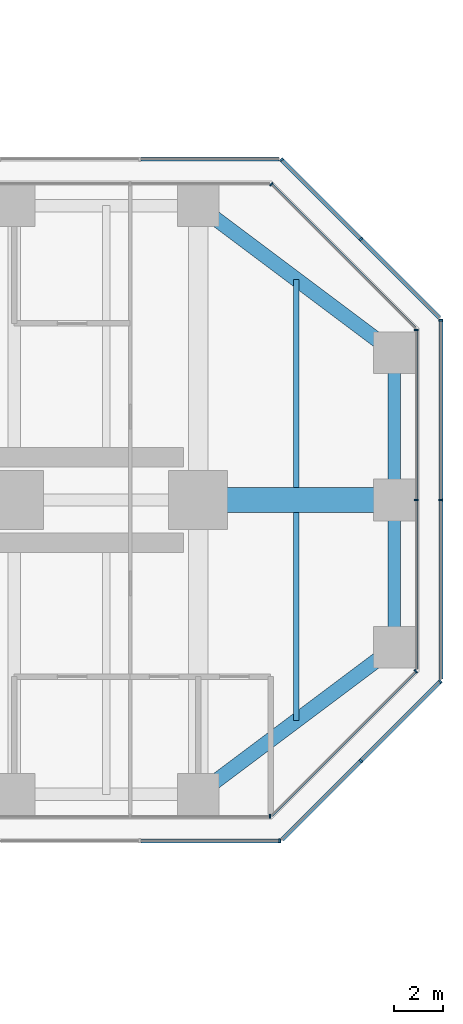
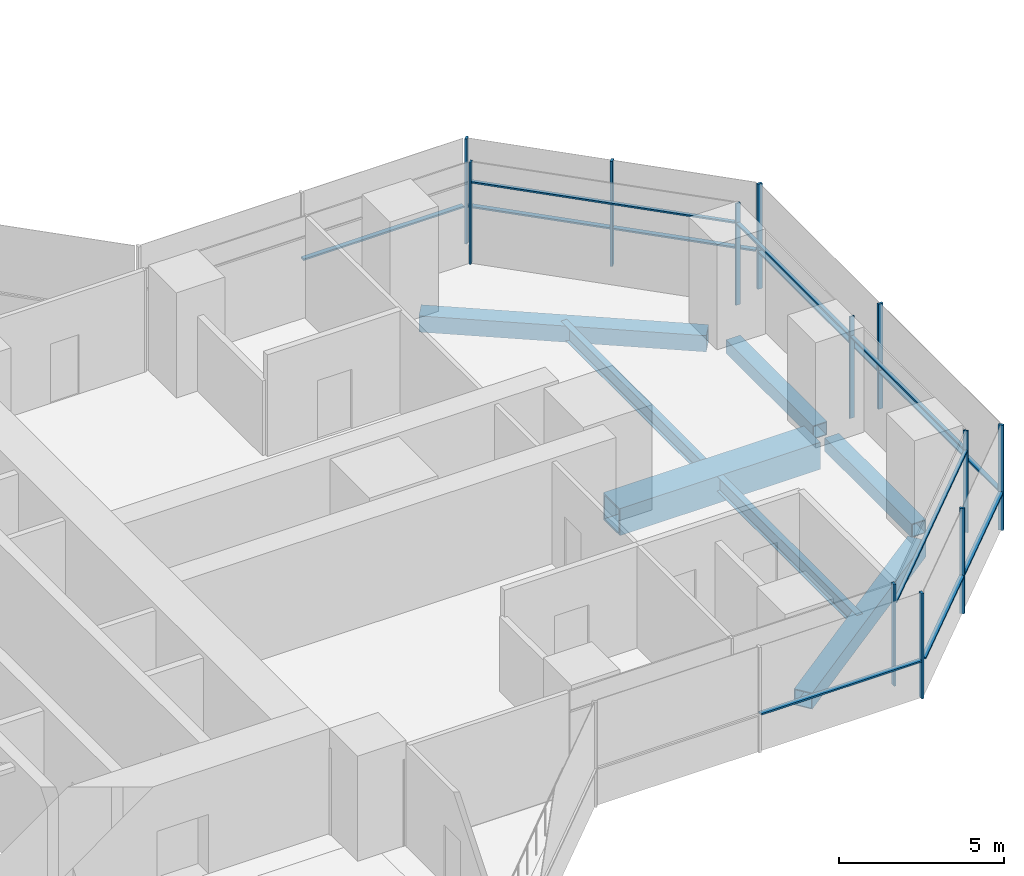
# One storey, part 12 of 22: 24 members, 7 beams, 9 elements without a shape of their own.
"""IFC4 building model written with IfcOpenShell, lengths in metres."""

from ifc_helpers import new_model, si_unit, direction, frame, origin, origin_2d, place, context, subcontext, project, spatial, rectangle, hollow_rectangle, i_section, extrude, material, material_profile, profile_set, type_object, element, aggregate, save


model = new_model("IFC4")

# Units and contexts
model_context = context("Model", 3, precision=1e-05, world=origin(), true_north=direction((0.0, 1.0)))
body_context = subcontext(model_context, "Body", "Model", "MODEL_VIEW")
ifc_project = project(units=[si_unit("LENGTHUNIT", "METRE"), si_unit("AREAUNIT", "SQUARE_METRE"), si_unit("VOLUMEUNIT", "CUBIC_METRE"), si_unit("PLANEANGLEUNIT", "RADIAN"), si_unit("MASSUNIT", "GRAM", prefix="KILO")], contexts=[model_context])

# Site, building, storey
site_placement = place(None, origin())
site = spatial("IfcSite", under=ifc_project, at=site_placement, CompositionType="ELEMENT")
building_placement = place(site_placement, origin())
building = spatial("IfcBuilding", under=site, at=building_placement, Name="Mizan Broadcast Tower", CompositionType="ELEMENT")
storey_placement = place(building_placement, frame((0.0, 0.0, 78.60009765625)))
storey = spatial("IfcBuildingStorey", under=building, at=storey_placement, Name="L16", CompositionType="ELEMENT", Elevation=78.60009765625)

# Beams
ifc_material_1 = material(Name="Steel S355", Category="steel")
ifc_material_profile_1 = material_profile(ifc_material_1, hollow_rectangle(XDim=0.5, YDim=0.5, WallThickness=0.030029296875, at=origin_2d()), Name="BOX 500x500x30")
ifc_profile_set_1 = profile_set([ifc_material_profile_1], Name="Steel S355")
beam_type_1 = type_object("IfcBeamType", Name="EDGE BEAM BOX 500x500x30", PredefinedType="SPANDREL", material=ifc_profile_set_1)
for number, where, z_axis, x_axis, name in (
    (1, (35.0, -5.639892578125, -0.380126953125), (0.0, 1.0, 0.0), (-1.0, 0.0, 0.0), "Edge beam BOX 500x500x30 L16 east arm"),
    (2, (35.0, 5.639892578125, -0.380126953125), (0.0, -1.0, 0.0), (1.0, 0.0, 0.0), "Edge beam BOX 500x500x30 L16 east arm"),
):
    element("IfcBeam", number, at=place(storey_placement, frame(where, z_axis=z_axis, x_axis=x_axis)), inside=storey, type_object=beam_type_1, Name=name, PredefinedType="SPANDREL", context=body_context, shape_type="SweptSolid", body=[
        extrude(hollow_rectangle(XDim=0.5, YDim=0.5, WallThickness=0.030029296875, at=origin_2d()), origin(), (0.0, 0.0, 1.0), 5.27978515625),
    ])
ifc_material_2 = material(Name="Steel S355", Category="steel")
ifc_material_profile_2 = material_profile(ifc_material_2, hollow_rectangle(XDim=0.60009765625, YDim=0.60009765625, WallThickness=0.030029296875, at=origin_2d()), Name="BOX 600x600x30")
ifc_profile_set_2 = profile_set([ifc_material_profile_2], Name="Steel S355")
beam_type_2 = type_object("IfcBeamType", Name="EDGE BEAM BOX 600x600x30", PredefinedType="SPANDREL", material=ifc_profile_set_2)
for number, where, z_axis, x_axis, name in (
    (3, (27.47998046875, -11.639892578125, -0.43017578125), (0.800013316712, 0.599982243973, 0.0), (-0.599982243973, 0.800013316712, 0.0), "Edge beam BOX 600x600x30 L16 east arm"),
    (4, (27.47998046875, 11.639892578125, -0.43017578125), (0.800013316712, -0.599982243973, 0.0), (0.599982243973, 0.800013316712, 0.0), "Edge beam BOX 600x600x30 L16 east arm"),
):
    element("IfcBeam", number, at=place(storey_placement, frame(where, z_axis=z_axis, x_axis=x_axis)), inside=storey, type_object=beam_type_2, Name=name, PredefinedType="SPANDREL", context=body_context, shape_type="SweptSolid", body=[
        extrude(hollow_rectangle(XDim=0.60009765625, YDim=0.60009765625, WallThickness=0.030029296875, at=origin_2d()), origin(), (0.0, 0.0, 1.0), 8.7998046875),
    ])
ifc_material_3 = material(Name="Steel S460", Category="steel")
ifc_material_profile_3 = material_profile(ifc_material_3, hollow_rectangle(XDim=1.0, YDim=1.0, WallThickness=0.06005859375, at=origin_2d()), Name="BOX 1000x1000x60")
ifc_profile_set_3 = profile_set([ifc_material_profile_3], Name="Steel S460")
beam_type_3 = type_object("IfcBeamType", Name="GIRDER BOX 1000x1000x60", PredefinedType="BEAM", material=ifc_profile_set_3)
beam_placement = place(storey_placement, frame((27.47998046875, 0.0, -0.630126953125), z_axis=(1.0, 0.0, 0.0), x_axis=(0.0, 1.0, 0.0)))
element("IfcBeam", 5, at=beam_placement, inside=storey, type_object=beam_type_3, Name="Girder BOX 1000x1000x60 L16 east arm", PredefinedType="BEAM", context=body_context, shape_type="SweptSolid", body=[
    extrude(hollow_rectangle(XDim=1.0, YDim=1.0, WallThickness=0.06005859375, at=origin_2d()), origin(), (0.0, 0.0, 1.0), 7.0400390625),
])

# Curtain wall, member
ifc_material_4 = material(Name="Aluminium framed glazing", Category="aluminium")
curtain_wall_type_1 = type_object("IfcCurtainWallType", Name="INNER SKIN LOW ZONE", PredefinedType="USERDEFINED", material=ifc_material_4)
curtain_wall_1_placement = place(storey_placement, origin())
curtain_wall_1 = element("IfcCurtainWall", 6, at=curtain_wall_1_placement, inside=storey, type_object=curtain_wall_type_1, Name="Inner skin low zone L16 E side", ObjectType="INNER SKIN LOW ZONE", PredefinedType="USERDEFINED")
ifc_material_5 = material(Name="Aluminium, pale anodised", Category="aluminium")
ifc_material_profile_4 = material_profile(ifc_material_5, rectangle(XDim=0.159912109375, YDim=0.06005859375, at=origin_2d()), Name="MULLION 160x60")
ifc_profile_set_4 = profile_set([ifc_material_profile_4], Name="Aluminium, pale anodised")
member_type_1 = type_object("IfcMemberType", Name="INNER SKIN MULLION 60x160", PredefinedType="MULLION", material=ifc_profile_set_4)
member_1_placement = place(storey_placement, frame((29.928466796875, -12.89990234375, 0.0), z_axis=(0.0, 0.0, 1.0), x_axis=(0.0, 1.0, 0.0)))
member_1 = element("IfcMember", 7, at=member_1_placement, type_object=member_type_1, Name="Inner skin low zone L16 E side mullion 3", PredefinedType="MULLION", context=body_context, shape_type="SweptSolid", body=[
    extrude(rectangle(XDim=0.159912109375, YDim=0.06005859375, at=origin_2d()), origin(), (0.0, 0.0, 1.0), 3.77001953125),
])
aggregate(curtain_wall_1, [member_1])

curtain_wall_2_placement = place(storey_placement, origin())
curtain_wall_2 = element("IfcCurtainWall", 8, at=curtain_wall_2_placement, inside=storey, type_object=curtain_wall_type_1, Name="Inner skin low zone L16 E chamfer", ObjectType="INNER SKIN LOW ZONE", PredefinedType="USERDEFINED")
member_2_placement = place(storey_placement, frame((35.87890625, -6.979736328125, 0.0), z_axis=(0.0, 0.0, 1.0), x_axis=(-0.707106781187, 0.707106781187, 0.0)))
member_2 = element("IfcMember", 9, at=member_2_placement, type_object=member_type_1, Name="Inner skin low zone L16 E chamfer mullion 2", PredefinedType="MULLION", context=body_context, shape_type="SweptSolid", body=[
    extrude(rectangle(XDim=0.159912109375, YDim=0.06005859375, at=origin_2d()), origin(), (0.0, 0.0, 1.0), 3.77001953125),
])

# Curtain wall, members
curtain_wall_3_placement = place(storey_placement, origin())
curtain_wall_3 = element("IfcCurtainWall", 10, at=curtain_wall_3_placement, inside=storey, type_object=curtain_wall_type_1, Name="Inner skin low zone L16 E end", ObjectType="INNER SKIN LOW ZONE", PredefinedType="USERDEFINED")
member_3_placement = place(storey_placement, frame((35.89990234375, 0.0, 0.0), z_axis=(0.0, 0.0, 1.0), x_axis=(-1.0, 0.0, 0.0)))
member_3 = element("IfcMember", 11, at=member_3_placement, type_object=member_type_1, Name="Inner skin low zone L16 E end mullion 2", PredefinedType="MULLION", context=body_context, shape_type="SweptSolid", body=[
    extrude(rectangle(XDim=0.159912109375, YDim=0.06005859375, at=origin_2d()), origin(), (0.0, 0.0, 1.0), 3.77001953125),
])
member_4_placement = place(storey_placement, frame((35.89990234375, 6.928466796875, 0.0), z_axis=(0.0, 0.0, 1.0), x_axis=(-1.0, 0.0, 0.0)))
member_4 = element("IfcMember", 12, at=member_4_placement, type_object=member_type_1, Name="Inner skin low zone L16 E end mullion 3", PredefinedType="MULLION", context=body_context, shape_type="SweptSolid", body=[
    extrude(rectangle(XDim=0.159912109375, YDim=0.06005859375, at=origin_2d()), origin(), (0.0, 0.0, 1.0), 3.77001953125),
])

# Curtain wall, member
curtain_wall_4_placement = place(storey_placement, origin())
curtain_wall_4 = element("IfcCurtainWall", 13, at=curtain_wall_4_placement, inside=storey, type_object=curtain_wall_type_1, Name="Inner skin low zone L16 E chamfer", ObjectType="INNER SKIN LOW ZONE", PredefinedType="USERDEFINED")
member_5_placement = place(storey_placement, frame((29.979736328125, 12.87890625, 0.0), z_axis=(0.0, 0.0, 1.0), x_axis=(-0.707106781187, -0.707106781187, 0.0)))
member_5 = element("IfcMember", 14, at=member_5_placement, type_object=member_type_1, Name="Inner skin low zone L16 E chamfer mullion 2", PredefinedType="MULLION", context=body_context, shape_type="SweptSolid", body=[
    extrude(rectangle(XDim=0.159912109375, YDim=0.06005859375, at=origin_2d()), origin(), (0.0, 0.0, 1.0), 3.77001953125),
])

# Member
ifc_material_6 = material(Name="Aluminium, pale anodised", Category="aluminium")
ifc_material_profile_5 = material_profile(ifc_material_6, rectangle(XDim=0.1201171875, YDim=0.06005859375, at=origin_2d()), Name="TRANSOM 120x60")
ifc_profile_set_5 = profile_set([ifc_material_profile_5], Name="Aluminium, pale anodised")
member_type_2 = type_object("IfcMemberType", Name="INNER SKIN TRANSOM 60x120", PredefinedType="USERDEFINED", material=ifc_profile_set_5)
member_6_placement = place(storey_placement, frame((30.0009765625, -12.857666015625, 3.02978515625), z_axis=(0.707106781187, 0.707106781187, 0.0), x_axis=(-0.707106781187, 0.707106781187, 0.0)))
member_6 = element("IfcMember", 15, at=member_6_placement, type_object=member_type_2, Name="Inner skin low zone L16 E chamfer transom 1.1", ObjectType="TRANSOM", PredefinedType="USERDEFINED", context=body_context, shape_type="SweptSolid", body=[
    extrude(rectangle(XDim=0.1201171875, YDim=0.06005859375, at=origin_2d()), origin(), (0.0, 0.0, 1.0), 8.28271484375),
])

aggregate(curtain_wall_2, [member_2, member_6])

member_7_placement = place(storey_placement, frame((35.89990234375, -6.898681640625, 3.02978515625), z_axis=(0.0, 1.0, 0.0), x_axis=(-1.0, 0.0, 0.0)))
member_7 = element("IfcMember", 16, at=member_7_placement, type_object=member_type_2, Name="Inner skin low zone L16 E end transom 1.1", ObjectType="TRANSOM", PredefinedType="USERDEFINED", context=body_context, shape_type="SweptSolid", body=[
    extrude(rectangle(XDim=0.1201171875, YDim=0.06005859375, at=origin_2d()), origin(), (0.0, 0.0, 1.0), 6.86865234375),
])

member_8_placement = place(storey_placement, frame((35.89990234375, 0.030029296875, 3.02978515625), z_axis=(0.0, 1.0, 0.0), x_axis=(-1.0, 0.0, 0.0)))
member_8 = element("IfcMember", 17, at=member_8_placement, type_object=member_type_2, Name="Inner skin low zone L16 E end transom 2.1", ObjectType="TRANSOM", PredefinedType="USERDEFINED", context=body_context, shape_type="SweptSolid", body=[
    extrude(rectangle(XDim=0.1201171875, YDim=0.06005859375, at=origin_2d()), origin(), (0.0, 0.0, 1.0), 6.86865234375),
])

aggregate(curtain_wall_3, [member_3, member_4, member_7, member_8])

member_9_placement = place(storey_placement, frame((35.857666015625, 7.0009765625, 3.02978515625), z_axis=(-0.707106781187, 0.707106781187, 0.0), x_axis=(-0.707106781187, -0.707106781187, 0.0)))
member_9 = element("IfcMember", 18, at=member_9_placement, type_object=member_type_2, Name="Inner skin low zone L16 E chamfer transom 1.1", ObjectType="TRANSOM", PredefinedType="USERDEFINED", context=body_context, shape_type="SweptSolid", body=[
    extrude(rectangle(XDim=0.1201171875, YDim=0.06005859375, at=origin_2d()), origin(), (0.0, 0.0, 1.0), 8.28271484375),
])

aggregate(curtain_wall_4, [member_5, member_9])

# Curtain wall, members
ifc_material_7 = material(Name="Aluminium framed glazing", Category="aluminium")
curtain_wall_type_2 = type_object("IfcCurtainWallType", Name="OUTER SKIN", PredefinedType="USERDEFINED", material=ifc_material_7)
curtain_wall_5_placement = place(storey_placement, origin())
curtain_wall_5 = element("IfcCurtainWall", 19, at=curtain_wall_5_placement, inside=storey, type_object=curtain_wall_type_2, Name="Outer skin L16 E chamfer", ObjectType="OUTER SKIN", PredefinedType="USERDEFINED")
ifc_material_8 = material(Name="Aluminium, pale anodised", Category="aluminium")
ifc_material_profile_6 = material_profile(ifc_material_8, rectangle(XDim=0.159912109375, YDim=0.080078125, at=origin_2d()), Name="MULLION 160x80")
ifc_profile_set_6 = profile_set([ifc_material_profile_6], Name="Aluminium, pale anodised")
member_type_3 = type_object("IfcMemberType", Name="OUTER SKIN MULLION 80x160", PredefinedType="MULLION", material=ifc_profile_set_6)
member_10_placement = place(storey_placement, frame((33.636474609375, -10.636474609375, 0.0), z_axis=(0.0, 0.0, 1.0), x_axis=(-0.707106781187, 0.707106781187, 0.0)))
member_10 = element("IfcMember", 20, at=member_10_placement, type_object=member_type_3, Name="Outer skin L16 E chamfer mullion 2", PredefinedType="MULLION", context=body_context, shape_type="SweptSolid", body=[
    extrude(rectangle(XDim=0.159912109375, YDim=0.080078125, at=origin_2d()), origin(), (0.0, 0.0, 1.0), 3.89990234375),
])
member_11_placement = place(storey_placement, frame((36.871826171875, -7.401123046875, 0.0), z_axis=(0.0, 0.0, 1.0), x_axis=(-0.707106781187, 0.707106781187, 0.0)))
member_11 = element("IfcMember", 21, at=member_11_placement, type_object=member_type_3, Name="Outer skin L16 E chamfer mullion 3", PredefinedType="MULLION", context=body_context, shape_type="SweptSolid", body=[
    extrude(rectangle(XDim=0.159912109375, YDim=0.080078125, at=origin_2d()), origin(), (0.0, 0.0, 1.0), 3.89990234375),
])

curtain_wall_6_placement = place(storey_placement, origin())
curtain_wall_6 = element("IfcCurtainWall", 22, at=curtain_wall_6_placement, inside=storey, type_object=curtain_wall_type_2, Name="Outer skin L16 E end", ObjectType="OUTER SKIN", PredefinedType="USERDEFINED")
member_12_placement = place(storey_placement, frame((36.89990234375, 0.0, 0.0), z_axis=(0.0, 0.0, 1.0), x_axis=(-1.0, 0.0, 0.0)))
member_12 = element("IfcMember", 23, at=member_12_placement, type_object=member_type_3, Name="Outer skin L16 E end mullion 2", PredefinedType="MULLION", context=body_context, shape_type="SweptSolid", body=[
    extrude(rectangle(XDim=0.159912109375, YDim=0.080078125, at=origin_2d()), origin(), (0.0, 0.0, 1.0), 3.89990234375),
])
member_13_placement = place(storey_placement, frame((36.89990234375, 7.332763671875, 0.0), z_axis=(0.0, 0.0, 1.0), x_axis=(-1.0, 0.0, 0.0)))
member_13 = element("IfcMember", 24, at=member_13_placement, type_object=member_type_3, Name="Outer skin L16 E end mullion 3", PredefinedType="MULLION", context=body_context, shape_type="SweptSolid", body=[
    extrude(rectangle(XDim=0.159912109375, YDim=0.080078125, at=origin_2d()), origin(), (0.0, 0.0, 1.0), 3.89990234375),
])

curtain_wall_7_placement = place(storey_placement, origin())
curtain_wall_7 = element("IfcCurtainWall", 25, at=curtain_wall_7_placement, inside=storey, type_object=curtain_wall_type_2, Name="Outer skin L16 E chamfer", ObjectType="OUTER SKIN", PredefinedType="USERDEFINED")
member_14_placement = place(storey_placement, frame((33.636474609375, 10.636474609375, 0.0), z_axis=(0.0, 0.0, 1.0), x_axis=(-0.707106781187, -0.707106781187, 0.0)))
member_14 = element("IfcMember", 26, at=member_14_placement, type_object=member_type_3, Name="Outer skin L16 E chamfer mullion 2", PredefinedType="MULLION", context=body_context, shape_type="SweptSolid", body=[
    extrude(rectangle(XDim=0.159912109375, YDim=0.080078125, at=origin_2d()), origin(), (0.0, 0.0, 1.0), 3.89990234375),
])
member_15_placement = place(storey_placement, frame((30.401123046875, 13.871826171875, 0.0), z_axis=(0.0, 0.0, 1.0), x_axis=(-0.707106781187, -0.707106781187, 0.0)))
member_15 = element("IfcMember", 27, at=member_15_placement, type_object=member_type_3, Name="Outer skin L16 E chamfer mullion 3", PredefinedType="MULLION", context=body_context, shape_type="SweptSolid", body=[
    extrude(rectangle(XDim=0.159912109375, YDim=0.080078125, at=origin_2d()), origin(), (0.0, 0.0, 1.0), 3.89990234375),
])

# Curtain wall, member
curtain_wall_8_placement = place(storey_placement, origin())
curtain_wall_8 = element("IfcCurtainWall", 28, at=curtain_wall_8_placement, inside=storey, type_object=curtain_wall_type_2, Name="Outer skin L16 E side", ObjectType="OUTER SKIN", PredefinedType="USERDEFINED")
member_16_placement = place(storey_placement, frame((30.332763671875, -13.89990234375, 0.0), z_axis=(0.0, 0.0, 1.0), x_axis=(0.0, 1.0, 0.0)))
member_16 = element("IfcMember", 29, at=member_16_placement, type_object=member_type_3, Name="Outer skin L16 E side mullion 3", PredefinedType="MULLION", context=body_context, shape_type="SweptSolid", body=[
    extrude(rectangle(XDim=0.159912109375, YDim=0.080078125, at=origin_2d()), origin(), (0.0, 0.0, 1.0), 3.89990234375),
])

# Member
ifc_material_9 = material(Name="Aluminium, pale anodised", Category="aluminium")
ifc_material_profile_7 = material_profile(ifc_material_9, rectangle(XDim=0.159912109375, YDim=0.06005859375, at=origin_2d()), Name="TRANSOM 160x60")
ifc_profile_set_7 = profile_set([ifc_material_profile_7], Name="Aluminium, pale anodised")
member_type_4 = type_object("IfcMemberType", Name="OUTER SKIN TRANSOM 60x160", PredefinedType="USERDEFINED", material=ifc_profile_set_7)
member_17_placement = place(storey_placement, frame((30.429443359375, -13.843505859375, 1.39990234375), z_axis=(0.707106781187, 0.707106781187, 0.0), x_axis=(-0.707106781187, 0.707106781187, 0.0)))
member_17 = element("IfcMember", 30, at=member_17_placement, type_object=member_type_4, Name="Outer skin L16 E chamfer transom 1.1", ObjectType="TRANSOM", PredefinedType="USERDEFINED", context=body_context, shape_type="SweptSolid", body=[
    extrude(rectangle(XDim=0.159912109375, YDim=0.06005859375, at=origin_2d()), origin(), (0.0, 0.0, 1.0), 4.495361328125),
])

member_18_placement = place(storey_placement, frame((33.664794921875, -10.608154296875, 1.39990234375), z_axis=(0.707106781187, 0.707106781187, 0.0), x_axis=(-0.707106781187, 0.707106781187, 0.0)))
member_18 = element("IfcMember", 31, at=member_18_placement, type_object=member_type_4, Name="Outer skin L16 E chamfer transom 2.1", ObjectType="TRANSOM", PredefinedType="USERDEFINED", context=body_context, shape_type="SweptSolid", body=[
    extrude(rectangle(XDim=0.159912109375, YDim=0.06005859375, at=origin_2d()), origin(), (0.0, 0.0, 1.0), 4.495361328125),
])

aggregate(curtain_wall_5, [member_10, member_11, member_17, member_18])

member_19_placement = place(storey_placement, frame((36.89990234375, -7.292724609375, 1.39990234375), z_axis=(0.0, 1.0, 0.0), x_axis=(-1.0, 0.0, 0.0)))
member_19 = element("IfcMember", 32, at=member_19_placement, type_object=member_type_4, Name="Outer skin L16 E end transom 1.1", ObjectType="TRANSOM", PredefinedType="USERDEFINED", context=body_context, shape_type="SweptSolid", body=[
    extrude(rectangle(XDim=0.159912109375, YDim=0.06005859375, at=origin_2d()), origin(), (0.0, 0.0, 1.0), 7.252685546875),
])

member_20_placement = place(storey_placement, frame((36.89990234375, 0.0400390625, 1.39990234375), z_axis=(0.0, 1.0, 0.0), x_axis=(-1.0, 0.0, 0.0)))
member_20 = element("IfcMember", 33, at=member_20_placement, type_object=member_type_4, Name="Outer skin L16 E end transom 2.1", ObjectType="TRANSOM", PredefinedType="USERDEFINED", context=body_context, shape_type="SweptSolid", body=[
    extrude(rectangle(XDim=0.159912109375, YDim=0.06005859375, at=origin_2d()), origin(), (0.0, 0.0, 1.0), 7.252685546875),
])

aggregate(curtain_wall_6, [member_12, member_13, member_19, member_20])

member_21_placement = place(storey_placement, frame((36.843505859375, 7.429443359375, 1.39990234375), z_axis=(-0.707106781187, 0.707106781187, 0.0), x_axis=(-0.707106781187, -0.707106781187, 0.0)))
member_21 = element("IfcMember", 34, at=member_21_placement, type_object=member_type_4, Name="Outer skin L16 E chamfer transom 1.1", ObjectType="TRANSOM", PredefinedType="USERDEFINED", context=body_context, shape_type="SweptSolid", body=[
    extrude(rectangle(XDim=0.159912109375, YDim=0.06005859375, at=origin_2d()), origin(), (0.0, 0.0, 1.0), 4.495361328125),
])

member_22_placement = place(storey_placement, frame((33.608154296875, 10.664794921875, 1.39990234375), z_axis=(-0.707106781187, 0.707106781187, 0.0), x_axis=(-0.707106781187, -0.707106781187, 0.0)))
member_22 = element("IfcMember", 35, at=member_22_placement, type_object=member_type_4, Name="Outer skin L16 E chamfer transom 2.1", ObjectType="TRANSOM", PredefinedType="USERDEFINED", context=body_context, shape_type="SweptSolid", body=[
    extrude(rectangle(XDim=0.159912109375, YDim=0.06005859375, at=origin_2d()), origin(), (0.0, 0.0, 1.0), 4.495361328125),
])

aggregate(curtain_wall_7, [member_14, member_15, member_21, member_22])

# Curtain wall, member
curtain_wall_9_placement = place(storey_placement, origin())
curtain_wall_9 = element("IfcCurtainWall", 36, at=curtain_wall_9_placement, inside=storey, type_object=curtain_wall_type_2, Name="Outer skin L16 E side", ObjectType="OUTER SKIN", PredefinedType="USERDEFINED")
member_23_placement = place(storey_placement, frame((30.292724609375, 13.89990234375, 1.39990234375), z_axis=(-1.0, 0.0, 0.0), x_axis=(0.0, -1.0, 0.0)))
member_23 = element("IfcMember", 37, at=member_23_placement, type_object=member_type_4, Name="Outer skin L16 E side transom 1.1", ObjectType="TRANSOM", PredefinedType="USERDEFINED", context=body_context, shape_type="SweptSolid", body=[
    extrude(rectangle(XDim=0.159912109375, YDim=0.06005859375, at=origin_2d()), origin(), (0.0, 0.0, 1.0), 5.6298828125),
])
aggregate(curtain_wall_9, [member_23])

# Member
member_24_placement = place(storey_placement, frame((24.662841796875, -13.89990234375, 1.39990234375), z_axis=(1.0, 0.0, 0.0), x_axis=(0.0, 1.0, 0.0)))
member_24 = element("IfcMember", 38, at=member_24_placement, type_object=member_type_4, Name="Outer skin L16 E side transom 2.1", ObjectType="TRANSOM", PredefinedType="USERDEFINED", context=body_context, shape_type="SweptSolid", body=[
    extrude(rectangle(XDim=0.159912109375, YDim=0.06005859375, at=origin_2d()), origin(), (0.0, 0.0, 1.0), 5.6298828125),
])

aggregate(curtain_wall_8, [member_16, member_24])

# Beams
ifc_material_10 = material(Name="Steel S355", Category="steel")
ifc_material_profile_8 = material_profile(ifc_material_10, i_section(OverallWidth=0.2099609375, OverallDepth=0.550048828125, WebThickness=0.010986328125, FlangeThickness=0.01708984375, FilletRadius=0.02392578125, at=origin_2d()), Name="IPE 550")
ifc_profile_set_8 = profile_set([ifc_material_profile_8], Name="Steel S355")
beam_type_4 = type_object("IfcBeamType", Name="SECONDARY BEAM IPE 550", PredefinedType="JOIST", material=ifc_profile_set_8)
for number, where, z_axis, x_axis, name in (
    (39, (31.0, -9.0, -0.405029296875), (0.0, 1.0, 0.0), (-1.0, 0.0, 0.0), "Secondary beam IPE 550 L16 east arm"),
    (40, (31.0, 9.0, -0.405029296875), (0.0, -1.0, 0.0), (1.0, 0.0, 0.0), "Secondary beam IPE 550 L16 east arm"),
):
    element("IfcBeam", number, at=place(storey_placement, frame(where, z_axis=z_axis, x_axis=x_axis)), inside=storey, type_object=beam_type_4, Name=name, PredefinedType="JOIST", context=body_context, shape_type="SweptSolid", body=[
        extrude(i_section(OverallWidth=0.2099609375, OverallDepth=0.550048828125, WebThickness=0.010986328125, FlangeThickness=0.01708984375, FilletRadius=0.02392578125, at=origin_2d()), origin(), (0.0, 0.0, 1.0), 8.5),
    ])

save(model, "model.ifc")
